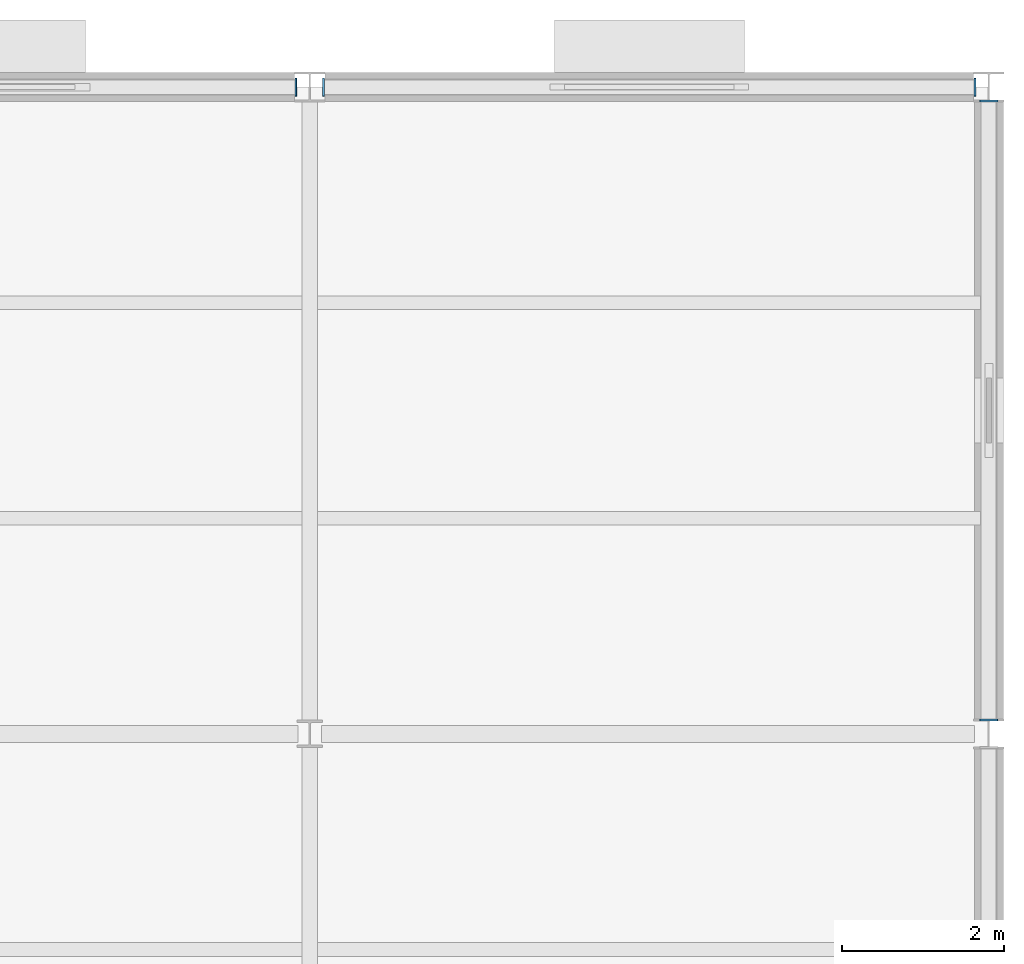
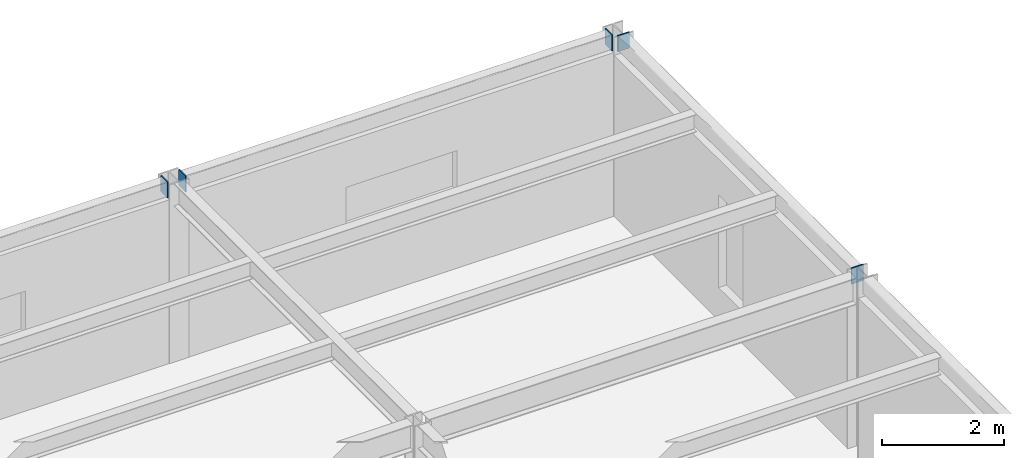
# One storey, part 88 of 96: 5 discrete accessories.
"""IFC4 building model written with IfcOpenShell, lengths in metres."""

from ifc_helpers import new_model, si_unit, direction, frame, origin, origin_2d, place, context, subcontext, project, spatial, rectangle, extrude, material, layer, layer_set, type_object, element, save


model = new_model("IFC4")

# Units and contexts
model_context = context("Model", 3, precision=1e-05, world=origin(), true_north=direction((0.0, 1.0)))
body_context = subcontext(model_context, "Body", "Model", "MODEL_VIEW")
ifc_project = project(units=[si_unit("LENGTHUNIT", "METRE"), si_unit("AREAUNIT", "SQUARE_METRE"), si_unit("VOLUMEUNIT", "CUBIC_METRE"), si_unit("PLANEANGLEUNIT", "RADIAN"), si_unit("MASSUNIT", "GRAM", prefix="KILO")], contexts=[model_context])

# Site, building, storey
site_placement = place(None, origin())
site = spatial("IfcSite", under=ifc_project, at=site_placement, CompositionType="ELEMENT")
building_placement = place(site_placement, origin())
building = spatial("IfcBuilding", under=site, at=building_placement, Name="Kranzveld Transit Interchange", CompositionType="ELEMENT")
storey_placement = place(building_placement, frame((0.0, 0.0, 9.52001953125)))
storey = spatial("IfcBuildingStorey", under=building, at=storey_placement, Name="L02", CompositionType="ELEMENT", Elevation=9.52001953125)

# Discrete accessories
ifc_material = material(Name="Steel S355JR", Category="steel")
ifc_layer = layer(ifc_material, 0.02001953125)
ifc_layer_set = layer_set([ifc_layer], Name="Steel S355JR")
discrete_accessory_type = type_object("IfcDiscreteAccessoryType", Name="Hollow Section End Cap Bracket 20 S355JR", PredefinedType="BRACKET", material=ifc_layer_set)
for number, where, z_axis, x_axis, name in (
    (1, (159.418701171875, 112.0, 3.419921875), (1.0, 0.0, 0.0), (0.0, 1.0, 0.0), "Hollow Section End Cap SP-RHS300-2"),
    (2, (159.78125, 112.0, 3.419921875), (-1.0, 0.0, 0.0), (0.0, -1.0, 0.0), "Hollow Section End Cap SP-RHS300-1"),
    (3, (167.818603515625, 112.0, 3.419921875), (1.0, 0.0, 0.0), (0.0, 1.0, 0.0), "Hollow Section End Cap SP-RHS300-2"),
    (4, (168.0, 104.181396484375, 3.419921875), (0.0, -1.0, 0.0), (1.0, 0.0, 0.0), "Hollow Section End Cap SP-RHS300-1"),
    (5, (168.0, 111.818603515625, 3.419921875), (0.0, 1.0, 0.0), (-1.0, 0.0, 0.0), "Hollow Section End Cap SP-RHS300-2"),
):
    element("IfcDiscreteAccessory", number, at=place(storey_placement, frame(where, z_axis=z_axis, x_axis=x_axis)), inside=storey, type_object=discrete_accessory_type, Name=name, PredefinedType="BRACKET", context=body_context, shape_type="SweptSolid", body=[
        extrude(rectangle(XDim=0.22412109375, YDim=0.323974609375, at=origin_2d()), origin(), (0.0, 0.0, 1.0), 0.02001953125),
    ])

save(model, "model.ifc")
